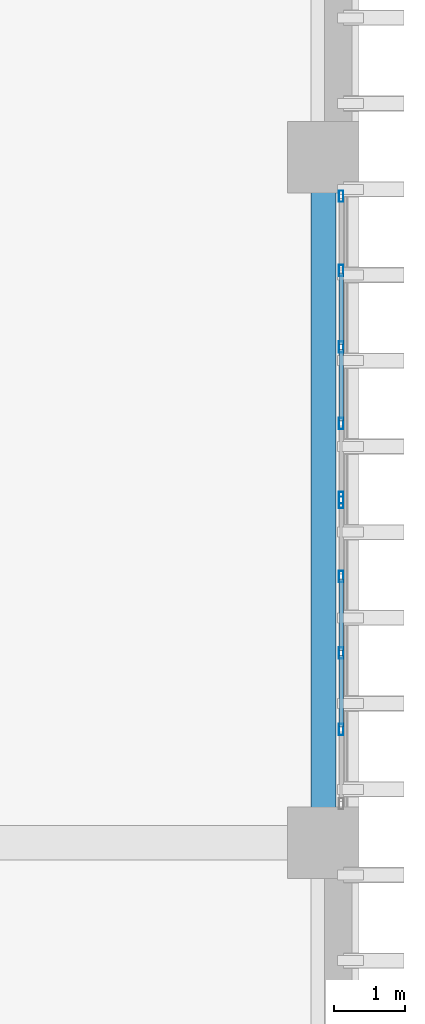
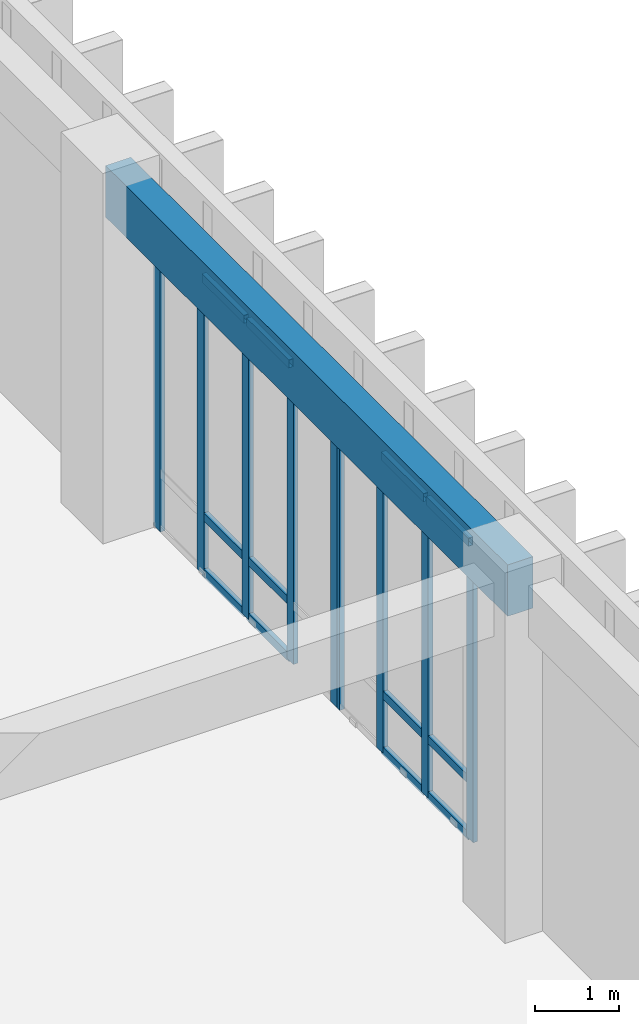
# One storey, part 65 of 134: 21 members, 1 beam, 2 elements without a shape of their own.
"""IFC4 building model written with IfcOpenShell, lengths in metres."""

import ifcopenshell
import ifcopenshell.guid

model = None  # the IFC model being written
_history = None  # IfcOwnerHistory: only IFC2X3 demands one
_inside = {}  # id of a spatial element -> (the spatial element, [elements in it])
_under = {}  # id of a project, library or spatial element -> (it, [spatial elements below it])
_declared = {}  # id of a project -> (the project, [libraries it declares])
_typed = {}  # id of a type object -> (the type object, [elements of that type])
_made_of = {}  # id of a material, layer set ... -> (it, [elements and type objects made of it])


def new_model(schema):
    """Start an empty IFC model of exactly this schema.

    Asked for "IFC4X3", IfcOpenShell would pick the latest addendum, in which some entities
    have other attributes; the version numbers below select the first issue.
    IFC2X3 requires an IfcOwnerHistory on every rooted entity: one is made here for all.
    """
    global model, _history
    if schema == "IFC4X3":
        model = ifcopenshell.file(schema_version=(4, 3, 0, 0))
    else:
        model = ifcopenshell.file(schema=schema)
    _inside.clear()
    _under.clear()
    _declared.clear()
    _typed.clear()
    _made_of.clear()
    _history = None
    if model.schema == "IFC2X3":
        org = make("IfcOrganization", Name="unknown")
        user = make(
            "IfcPersonAndOrganization",
            ThePerson=make("IfcPerson", FamilyName="unknown"),
            TheOrganization=org,
        )
        app = make(
            "IfcApplication",
            ApplicationDeveloper=org,
            Version="unknown",
            ApplicationFullName="unknown",
            ApplicationIdentifier="unknown",
        )
        _history = make(
            "IfcOwnerHistory",
            OwningUser=user,
            OwningApplication=app,
            ChangeAction="ADDED",
            CreationDate=0,
        )
    return model


def make(cls, **values):
    """One entity of the class cls with the attributes given. An attribute that is None is left unset."""
    return model.create_entity(
        cls, **{name: value for name, value in values.items() if value is not None}
    )


def rooted(cls, **values):
    """An entity with a GlobalId (a new one), such as an element, a storey or a relation."""
    return make(cls, GlobalId=ifcopenshell.guid.new(), OwnerHistory=_history, **values)


def si_unit(unit_type, name, prefix=None):
    """IfcSIUnit, for example si_unit("LENGTHUNIT", "METRE", prefix="MILLI")."""
    return make("IfcSIUnit", UnitType=unit_type, Prefix=prefix, Name=name)


def assignment(units):
    """IfcUnitAssignment: the units of a project."""
    return None if units is None else make("IfcUnitAssignment", Units=units)


def point(xyz):
    """IfcCartesianPoint."""
    return None if xyz is None else make("IfcCartesianPoint", Coordinates=xyz)


def direction(xyz):
    """IfcDirection."""
    return None if xyz is None else make("IfcDirection", DirectionRatios=xyz)


def frame(location, z_axis=None, x_axis=None):
    """IfcAxis2Placement3D, a coordinate frame: its origin and axes. An axis left out is left unset."""
    return make(
        "IfcAxis2Placement3D",
        Location=point(location),
        Axis=direction(z_axis),
        RefDirection=direction(x_axis),
    )


def frame_2d(location, x_axis=None):
    """IfcAxis2Placement2D, a coordinate frame in the plane: its origin and x axis."""
    return make(
        "IfcAxis2Placement2D", Location=point(location), RefDirection=direction(x_axis)
    )


def origin():
    """The frame at (0, 0, 0) with its axes left unset."""
    return frame((0.0, 0.0, 0.0))


def origin_2d():
    """The frame at (0, 0) in the plane with its x axis left unset."""
    return frame_2d((0.0, 0.0))


def place(relative_to, where):
    """IfcLocalPlacement: puts the frame where relative to a parent placement (None: the world)."""
    return make(
        "IfcLocalPlacement", PlacementRelTo=relative_to, RelativePlacement=where
    )


def context(
    kind, dimensions, precision=None, world=None, true_north=None, identifier=None
):
    """IfcGeometricRepresentationContext, for example the 3D "Model" context."""
    return make(
        "IfcGeometricRepresentationContext",
        ContextIdentifier=identifier,
        ContextType=kind,
        CoordinateSpaceDimension=dimensions,
        Precision=precision,
        WorldCoordinateSystem=world,
        TrueNorth=true_north,
    )


def subcontext(parent, identifier, kind, view, scale=None):
    """IfcGeometricRepresentationSubContext, for example "Body" below "Model"."""
    return make(
        "IfcGeometricRepresentationSubContext",
        ContextIdentifier=identifier,
        ContextType=kind,
        ParentContext=parent,
        TargetScale=scale,
        TargetView=view,
    )


def project(units=None, contexts=None):
    """IfcProject with its units and contexts."""
    return rooted(
        "IfcProject",
        Name="project",
        RepresentationContexts=contexts,
        UnitsInContext=assignment(units),
    )


def spatial(cls, under=None, at=None, **own):
    """A site, building, storey or space (cls), placed at a placement, below another one or the project."""
    s = rooted(cls, ObjectPlacement=at, **own)
    if under is not None:
        _under.setdefault(under.id(), (under, []))[1].append(s)
    return s


def profile(cls, at=None, kind="AREA", **sizes):
    """A parametric profile (cls). Its sizes go by their IFC names, for example OverallWidth=200.0."""
    return make(cls, ProfileType=kind, Position=at, **sizes)


def rectangle(**sizes):
    """IfcRectangleProfileDef."""
    return profile("IfcRectangleProfileDef", **sizes)


def hollow_rectangle(**sizes):
    """IfcRectangleHollowProfileDef."""
    return profile("IfcRectangleHollowProfileDef", **sizes)


def extrude(swept, where, along, depth):
    """IfcExtrudedAreaSolid: the profile swept, set in the frame where, extruded along a direction by depth."""
    return make(
        "IfcExtrudedAreaSolid",
        SweptArea=swept,
        Position=where,
        ExtrudedDirection=direction(along),
        Depth=depth,
    )


def shape(context_of_items, identifier, shape_type, items):
    """IfcShapeRepresentation: the items that make up one representation, for example the "Body"."""
    return make(
        "IfcShapeRepresentation",
        ContextOfItems=context_of_items,
        RepresentationIdentifier=identifier,
        RepresentationType=shape_type,
        Items=items,
    )


def material(Name=None, Category=None):
    """IfcMaterial."""
    return make("IfcMaterial", Name=Name, Category=Category)


def layer(
    of_material, thickness, ventilated=None, Name=None, Category=None, Priority=None
):
    """IfcMaterialLayer: one layer of a wall or slab, of a material (None: an air gap)."""
    return make(
        "IfcMaterialLayer",
        Material=of_material,
        LayerThickness=thickness,
        IsVentilated=ventilated,
        Name=Name,
        Category=Category,
        Priority=Priority,
    )


def layer_set(layers, Name=None):
    """IfcMaterialLayerSet."""
    return make("IfcMaterialLayerSet", MaterialLayers=layers, LayerSetName=Name)


def material_profile(
    of_material, cross_section, Name=None, Category=None, Priority=None
):
    """IfcMaterialProfile: a cross section and its material."""
    return make(
        "IfcMaterialProfile",
        Name=Name,
        Material=of_material,
        Profile=cross_section,
        Priority=Priority,
        Category=Category,
    )


def profile_set(profiles, Name=None, composite=None):
    """IfcMaterialProfileSet."""
    return make(
        "IfcMaterialProfileSet",
        Name=Name,
        MaterialProfiles=profiles,
        CompositeProfile=composite,
    )


def made_of(thing, what):
    """Note that an element or type object is made of a material, layer set ...; save() writes the relation."""
    if what is not None:
        _made_of.setdefault(what.id(), (what, []))[1].append(thing)
    return thing


def type_object(cls, material=None, **own):
    """A type object (cls), such as IfcWallType, which elements share."""
    return made_of(rooted(cls, **own), material)


def element(
    cls,
    number,
    at=None,
    inside=None,
    cuts=None,
    type_object=None,
    material=None,
    context=None,
    identifier="Body",
    shape_type=None,
    held_by="IfcProductDefinitionShape",
    body=None,
    shapes=None,
    **own,
):
    """One element of the class cls, such as IfcWall. Its Tag is "e" and its number.

    at: its placement. inside: the storey or other place that contains it. cuts: it is an
    opening in that element (IfcRelVoidsElement). A single representation is given by context,
    identifier, shape_type and body (its items); several are given by shapes. held_by: the class
    of the entity that holds the representations. save() writes the other relations.
    """
    e = rooted(cls, Tag="e%d" % number, ObjectPlacement=at, **own)
    if body is not None:
        shapes = [shape(context, identifier, shape_type, body)]
    if shapes is not None:
        e.Representation = make(held_by, Representations=shapes)
    if inside is not None:
        _inside.setdefault(inside.id(), (inside, []))[1].append(e)
    if cuts is not None:
        rooted(
            "IfcRelVoidsElement", RelatingBuildingElement=cuts, RelatedOpeningElement=e
        )
    if type_object is not None:
        _typed.setdefault(type_object.id(), (type_object, []))[1].append(e)
    return made_of(e, material)


def aggregate(whole, parts):
    """IfcRelAggregates: a whole, such as a stair, and the parts it consists of."""
    return rooted("IfcRelAggregates", RelatingObject=whole, RelatedObjects=parts)


def save(model, path):
    """Write the relations noted so far, then the file.

    IfcRelAggregates (storeys below a building ...), IfcRelContainedInSpatialStructure (elements
    in a storey), IfcRelDefinesByType, IfcRelAssociatesMaterial and IfcRelDeclares: one each for
    every whole, place, type object, material and project.
    """
    for whole, parts in _under.values():
        aggregate(whole, parts)
    for where, things in _inside.values():
        rooted(
            "IfcRelContainedInSpatialStructure",
            RelatedElements=things,
            RelatingStructure=where,
        )
    for kind, things in _typed.values():
        rooted("IfcRelDefinesByType", RelatedObjects=things, RelatingType=kind)
    for what, things in _made_of.values():
        rooted("IfcRelAssociatesMaterial", RelatedObjects=things, RelatingMaterial=what)
    for by, libraries in _declared.values():
        rooted("IfcRelDeclares", RelatingContext=by, RelatedDefinitions=libraries)
    model.write(path)


model = new_model("IFC4")

# Units and contexts
model_context = context("Model", 3, precision=1e-05, world=origin(), true_north=direction((0.0, 1.0)))
body_context = subcontext(model_context, "Body", "Model", "MODEL_VIEW")
ifc_project = project(units=[si_unit("LENGTHUNIT", "METRE"), si_unit("AREAUNIT", "SQUARE_METRE"), si_unit("VOLUMEUNIT", "CUBIC_METRE"), si_unit("PLANEANGLEUNIT", "RADIAN"), si_unit("MASSUNIT", "GRAM", prefix="KILO")], contexts=[model_context])

# Site, building, storey
site_placement = place(None, origin())
site = spatial("IfcSite", under=ifc_project, at=site_placement, CompositionType="ELEMENT")
building_placement = place(site_placement, origin())
building = spatial("IfcBuilding", under=site, at=building_placement, Name="Nakhvara Creek Congress Hotel", CompositionType="ELEMENT")
storey_placement = place(building_placement, frame((0.0, 0.0, 6.0)))
storey = spatial("IfcBuildingStorey", under=building, at=storey_placement, Name="L01", CompositionType="ELEMENT", Elevation=6.0)

# Beam
ifc_material_1 = material(Name="Concrete C40/50", Category="concrete")
ifc_material_profile_1 = material_profile(ifc_material_1, rectangle(XDim=0.35009765625, YDim=0.75, at=origin_2d()), Name="RC-SPANDREL 350x750", Category="LoadBearing")
ifc_profile_set_1 = profile_set([ifc_material_profile_1], Name="Concrete C40/50")
beam_type = type_object("IfcBeamType", Name="BM-SPN-350X750", PredefinedType="SPANDREL", material=ifc_profile_set_1)
beam_placement = place(storey_placement, frame((179.35009765625, 28.800048828125, 4.72509765625), z_axis=(0.0, 1.0, 0.0), x_axis=(-1.0, 0.0, 0.0)))
element("IfcBeam", 1, at=beam_placement, inside=storey, type_object=beam_type, Name="Beam SP1-L01-1352", PredefinedType="SPANDREL", context=body_context, shape_type="SweptSolid", body=[
    extrude(rectangle(XDim=0.35009765625, YDim=0.75, at=origin_2d()), origin(), (0.0, 0.0, 1.0), 9.599853515625),
])

# Curtain wall, members
ifc_material_2 = material(Name="Bronze-anodised aluminium AW-6063-T6 and double-silver low-E glass", Category="aluminium")
ifc_layer = layer(ifc_material_2, 0.199951171875)
ifc_layer_set = layer_set([ifc_layer], Name="Bronze-anodised aluminium AW-6063-T6 and double-silver low-E glass")
curtain_wall_type = type_object("IfcCurtainWallType", Name="CW-HTL-UNIT", PredefinedType="USERDEFINED", material=ifc_layer_set)
curtain_wall_1_placement = place(storey_placement, origin())
curtain_wall_1 = element("IfcCurtainWall", 2, at=curtain_wall_1_placement, inside=storey, type_object=curtain_wall_type, Name="Curtain Wall CW110", ObjectType="UNITISED", PredefinedType="USERDEFINED")
ifc_material_3 = material(Name="Bronze-anodised aluminium AW-6063-T6", Category="aluminium")
ifc_material_profile_2 = material_profile(ifc_material_3, hollow_rectangle(XDim=0.06494140625, YDim=0.159912109375, WallThickness=0.00390625, at=origin_2d()), Name="ALU-MULL 65x160x4", Category="LoadBearing")
ifc_profile_set_2 = profile_set([ifc_material_profile_2], Name="Bronze-anodised aluminium AW-6063-T6")
member_type_1 = type_object("IfcMemberType", Name="CW-MULL-160", PredefinedType="MULLION", material=ifc_profile_set_2)
member_1_placement = place(storey_placement, frame((179.60009765625, 33.5673828125, 0.0), z_axis=(0.0, 0.0, 1.0), x_axis=(1.0, 0.0, 0.0)))
member_1 = element("IfcMember", 3, at=member_1_placement, type_object=member_type_1, Name="CW110 mullion 1", PredefinedType="MULLION", context=body_context, shape_type="SweptSolid", body=[
    extrude(hollow_rectangle(XDim=0.06494140625, YDim=0.159912109375, WallThickness=0.00390625, at=origin_2d()), origin(), (0.0, 0.0, 1.0), 4.342041015625),
])
member_2_placement = place(storey_placement, frame((179.60009765625, 32.52880859375, 0.0), z_axis=(0.0, 0.0, 1.0), x_axis=(1.0, 0.0, 0.0)))
member_2 = element("IfcMember", 4, at=member_2_placement, type_object=member_type_1, Name="CW110 mullion 2", PredefinedType="MULLION", context=body_context, shape_type="SweptSolid", body=[
    extrude(hollow_rectangle(XDim=0.06494140625, YDim=0.159912109375, WallThickness=0.00390625, at=origin_2d()), origin(), (0.0, 0.0, 1.0), 4.342041015625),
])
member_3_placement = place(storey_placement, frame((179.60009765625, 31.45751953125, 0.0), z_axis=(0.0, 0.0, 1.0), x_axis=(1.0, 0.0, 0.0)))
member_3 = element("IfcMember", 5, at=member_3_placement, type_object=member_type_1, Name="CW110 mullion 3", PredefinedType="MULLION", context=body_context, shape_type="SweptSolid", body=[
    extrude(hollow_rectangle(XDim=0.06494140625, YDim=0.159912109375, WallThickness=0.00390625, at=origin_2d()), origin(), (0.0, 0.0, 1.0), 4.342041015625),
])
member_4_placement = place(storey_placement, frame((179.60009765625, 30.38623046875, 0.0), z_axis=(0.0, 0.0, 1.0), x_axis=(1.0, 0.0, 0.0)))
member_4 = element("IfcMember", 6, at=member_4_placement, type_object=member_type_1, Name="CW110 mullion 4", PredefinedType="MULLION", context=body_context, shape_type="SweptSolid", body=[
    extrude(hollow_rectangle(XDim=0.06494140625, YDim=0.159912109375, WallThickness=0.00390625, at=origin_2d()), origin(), (0.0, 0.0, 1.0), 4.342041015625),
])

curtain_wall_2_placement = place(storey_placement, origin())
curtain_wall_2 = element("IfcCurtainWall", 7, at=curtain_wall_2_placement, inside=storey, type_object=curtain_wall_type, Name="Curtain Wall CW111", ObjectType="UNITISED", PredefinedType="USERDEFINED")
member_5_placement = place(storey_placement, frame((179.60009765625, 37.8525390625, 0.0), z_axis=(0.0, 0.0, 1.0), x_axis=(1.0, 0.0, 0.0)))
member_5 = element("IfcMember", 8, at=member_5_placement, type_object=member_type_1, Name="CW111 mullion 1", PredefinedType="MULLION", context=body_context, shape_type="SweptSolid", body=[
    extrude(hollow_rectangle(XDim=0.06494140625, YDim=0.159912109375, WallThickness=0.00390625, at=origin_2d()), origin(), (0.0, 0.0, 1.0), 4.342041015625),
])
member_6_placement = place(storey_placement, frame((179.60009765625, 36.813720703125, 0.0), z_axis=(0.0, 0.0, 1.0), x_axis=(1.0, 0.0, 0.0)))
member_6 = element("IfcMember", 9, at=member_6_placement, type_object=member_type_1, Name="CW111 mullion 2", PredefinedType="MULLION", context=body_context, shape_type="SweptSolid", body=[
    extrude(hollow_rectangle(XDim=0.06494140625, YDim=0.159912109375, WallThickness=0.00390625, at=origin_2d()), origin(), (0.0, 0.0, 1.0), 4.342041015625),
])
member_7_placement = place(storey_placement, frame((179.60009765625, 35.742431640625, 0.0), z_axis=(0.0, 0.0, 1.0), x_axis=(1.0, 0.0, 0.0)))
member_7 = element("IfcMember", 10, at=member_7_placement, type_object=member_type_1, Name="CW111 mullion 3", PredefinedType="MULLION", context=body_context, shape_type="SweptSolid", body=[
    extrude(hollow_rectangle(XDim=0.06494140625, YDim=0.159912109375, WallThickness=0.00390625, at=origin_2d()), origin(), (0.0, 0.0, 1.0), 4.342041015625),
])
member_8_placement = place(storey_placement, frame((179.60009765625, 34.671142578125, 0.0), z_axis=(0.0, 0.0, 1.0), x_axis=(1.0, 0.0, 0.0)))
member_8 = element("IfcMember", 11, at=member_8_placement, type_object=member_type_1, Name="CW111 mullion 4", PredefinedType="MULLION", context=body_context, shape_type="SweptSolid", body=[
    extrude(hollow_rectangle(XDim=0.06494140625, YDim=0.159912109375, WallThickness=0.00390625, at=origin_2d()), origin(), (0.0, 0.0, 1.0), 4.342041015625),
])
member_9_placement = place(storey_placement, frame((179.60009765625, 33.632568359375, 0.0), z_axis=(0.0, 0.0, 1.0), x_axis=(1.0, 0.0, 0.0)))
member_9 = element("IfcMember", 12, at=member_9_placement, type_object=member_type_1, Name="CW111 mullion 5", PredefinedType="MULLION", context=body_context, shape_type="SweptSolid", body=[
    extrude(hollow_rectangle(XDim=0.06494140625, YDim=0.159912109375, WallThickness=0.00390625, at=origin_2d()), origin(), (0.0, 0.0, 1.0), 4.342041015625),
])

# Member
ifc_material_profile_3 = material_profile(ifc_material_3, hollow_rectangle(XDim=0.06494140625, YDim=0.1201171875, WallThickness=0.00390625, at=origin_2d()), Name="ALU-TRAN 65x120x4", Category="LoadBearing")
ifc_profile_set_3 = profile_set([ifc_material_profile_3], Name="Bronze-anodised aluminium AW-6063-T6")
member_type_2 = type_object("IfcMemberType", Name="CW-TRAN-120", PredefinedType="USERDEFINED", material=ifc_profile_set_3)
member_10_placement = place(storey_placement, frame((179.60009765625, 32.496337890625, 0.032470703125), z_axis=(0.0, -1.0, 0.0), x_axis=(1.0, 0.0, 0.0)))
member_10 = element("IfcMember", 13, at=member_10_placement, type_object=member_type_2, Name="CW110 transom 2.1", ObjectType="TRANSOM", PredefinedType="USERDEFINED", context=body_context, shape_type="SweptSolid", body=[
    extrude(hollow_rectangle(XDim=0.06494140625, YDim=0.1201171875, WallThickness=0.00390625, at=origin_2d()), origin(), (0.0, 0.0, 1.0), 1.00634765625),
])

member_11_placement = place(storey_placement, frame((179.60009765625, 32.496337890625, 0.85009765625), z_axis=(0.0, -1.0, 0.0), x_axis=(1.0, 0.0, 0.0)))
member_11 = element("IfcMember", 14, at=member_11_placement, type_object=member_type_2, Name="CW110 transom 2.2", ObjectType="TRANSOM", PredefinedType="USERDEFINED", context=body_context, shape_type="SweptSolid", body=[
    extrude(hollow_rectangle(XDim=0.06494140625, YDim=0.1201171875, WallThickness=0.00390625, at=origin_2d()), origin(), (0.0, 0.0, 1.0), 1.00634765625),
])

member_12_placement = place(storey_placement, frame((179.60009765625, 32.496337890625, 4.3095703125), z_axis=(0.0, -1.0, 0.0), x_axis=(1.0, 0.0, 0.0)))
member_12 = element("IfcMember", 15, at=member_12_placement, type_object=member_type_2, Name="CW110 transom 2.3", ObjectType="TRANSOM", PredefinedType="USERDEFINED", context=body_context, shape_type="SweptSolid", body=[
    extrude(hollow_rectangle(XDim=0.06494140625, YDim=0.1201171875, WallThickness=0.00390625, at=origin_2d()), origin(), (0.0, 0.0, 1.0), 1.00634765625),
])

member_13_placement = place(storey_placement, frame((179.60009765625, 31.425048828125, 0.032470703125), z_axis=(0.0, -1.0, 0.0), x_axis=(1.0, 0.0, 0.0)))
member_13 = element("IfcMember", 16, at=member_13_placement, type_object=member_type_2, Name="CW110 transom 3.1", ObjectType="TRANSOM", PredefinedType="USERDEFINED", context=body_context, shape_type="SweptSolid", body=[
    extrude(hollow_rectangle(XDim=0.06494140625, YDim=0.1201171875, WallThickness=0.00390625, at=origin_2d()), origin(), (0.0, 0.0, 1.0), 1.00634765625),
])

member_14_placement = place(storey_placement, frame((179.60009765625, 31.425048828125, 0.85009765625), z_axis=(0.0, -1.0, 0.0), x_axis=(1.0, 0.0, 0.0)))
member_14 = element("IfcMember", 17, at=member_14_placement, type_object=member_type_2, Name="CW110 transom 3.2", ObjectType="TRANSOM", PredefinedType="USERDEFINED", context=body_context, shape_type="SweptSolid", body=[
    extrude(hollow_rectangle(XDim=0.06494140625, YDim=0.1201171875, WallThickness=0.00390625, at=origin_2d()), origin(), (0.0, 0.0, 1.0), 1.00634765625),
])

member_15_placement = place(storey_placement, frame((179.60009765625, 31.425048828125, 4.3095703125), z_axis=(0.0, -1.0, 0.0), x_axis=(1.0, 0.0, 0.0)))
member_15 = element("IfcMember", 18, at=member_15_placement, type_object=member_type_2, Name="CW110 transom 3.3", ObjectType="TRANSOM", PredefinedType="USERDEFINED", context=body_context, shape_type="SweptSolid", body=[
    extrude(hollow_rectangle(XDim=0.06494140625, YDim=0.1201171875, WallThickness=0.00390625, at=origin_2d()), origin(), (0.0, 0.0, 1.0), 1.00634765625),
])

aggregate(curtain_wall_1, [member_1, member_2, member_3, member_4, member_10, member_11, member_12, member_13, member_14, member_15])

member_16_placement = place(storey_placement, frame((179.60009765625, 36.78125, 0.032470703125), z_axis=(0.0, -1.0, 0.0), x_axis=(1.0, 0.0, 0.0)))
member_16 = element("IfcMember", 19, at=member_16_placement, type_object=member_type_2, Name="CW111 transom 2.1", ObjectType="TRANSOM", PredefinedType="USERDEFINED", context=body_context, shape_type="SweptSolid", body=[
    extrude(hollow_rectangle(XDim=0.06494140625, YDim=0.1201171875, WallThickness=0.00390625, at=origin_2d()), origin(), (0.0, 0.0, 1.0), 1.00634765625),
])

member_17_placement = place(storey_placement, frame((179.60009765625, 36.78125, 0.85009765625), z_axis=(0.0, -1.0, 0.0), x_axis=(1.0, 0.0, 0.0)))
member_17 = element("IfcMember", 20, at=member_17_placement, type_object=member_type_2, Name="CW111 transom 2.2", ObjectType="TRANSOM", PredefinedType="USERDEFINED", context=body_context, shape_type="SweptSolid", body=[
    extrude(hollow_rectangle(XDim=0.06494140625, YDim=0.1201171875, WallThickness=0.00390625, at=origin_2d()), origin(), (0.0, 0.0, 1.0), 1.00634765625),
])

member_18_placement = place(storey_placement, frame((179.60009765625, 36.78125, 4.3095703125), z_axis=(0.0, -1.0, 0.0), x_axis=(1.0, 0.0, 0.0)))
member_18 = element("IfcMember", 21, at=member_18_placement, type_object=member_type_2, Name="CW111 transom 2.3", ObjectType="TRANSOM", PredefinedType="USERDEFINED", context=body_context, shape_type="SweptSolid", body=[
    extrude(hollow_rectangle(XDim=0.06494140625, YDim=0.1201171875, WallThickness=0.00390625, at=origin_2d()), origin(), (0.0, 0.0, 1.0), 1.00634765625),
])

member_19_placement = place(storey_placement, frame((179.60009765625, 35.7099609375, 0.032470703125), z_axis=(0.0, -1.0, 0.0), x_axis=(1.0, 0.0, 0.0)))
member_19 = element("IfcMember", 22, at=member_19_placement, type_object=member_type_2, Name="CW111 transom 3.1", ObjectType="TRANSOM", PredefinedType="USERDEFINED", context=body_context, shape_type="SweptSolid", body=[
    extrude(hollow_rectangle(XDim=0.06494140625, YDim=0.1201171875, WallThickness=0.00390625, at=origin_2d()), origin(), (0.0, 0.0, 1.0), 1.006103515625),
])

member_20_placement = place(storey_placement, frame((179.60009765625, 35.7099609375, 0.85009765625), z_axis=(0.0, -1.0, 0.0), x_axis=(1.0, 0.0, 0.0)))
member_20 = element("IfcMember", 23, at=member_20_placement, type_object=member_type_2, Name="CW111 transom 3.2", ObjectType="TRANSOM", PredefinedType="USERDEFINED", context=body_context, shape_type="SweptSolid", body=[
    extrude(hollow_rectangle(XDim=0.06494140625, YDim=0.1201171875, WallThickness=0.00390625, at=origin_2d()), origin(), (0.0, 0.0, 1.0), 1.006103515625),
])

member_21_placement = place(storey_placement, frame((179.60009765625, 35.7099609375, 4.3095703125), z_axis=(0.0, -1.0, 0.0), x_axis=(1.0, 0.0, 0.0)))
member_21 = element("IfcMember", 24, at=member_21_placement, type_object=member_type_2, Name="CW111 transom 3.3", ObjectType="TRANSOM", PredefinedType="USERDEFINED", context=body_context, shape_type="SweptSolid", body=[
    extrude(hollow_rectangle(XDim=0.06494140625, YDim=0.1201171875, WallThickness=0.00390625, at=origin_2d()), origin(), (0.0, 0.0, 1.0), 1.006103515625),
])

aggregate(curtain_wall_2, [member_5, member_6, member_7, member_8, member_9, member_16, member_17, member_18, member_19, member_20, member_21])

save(model, "model.ifc")
